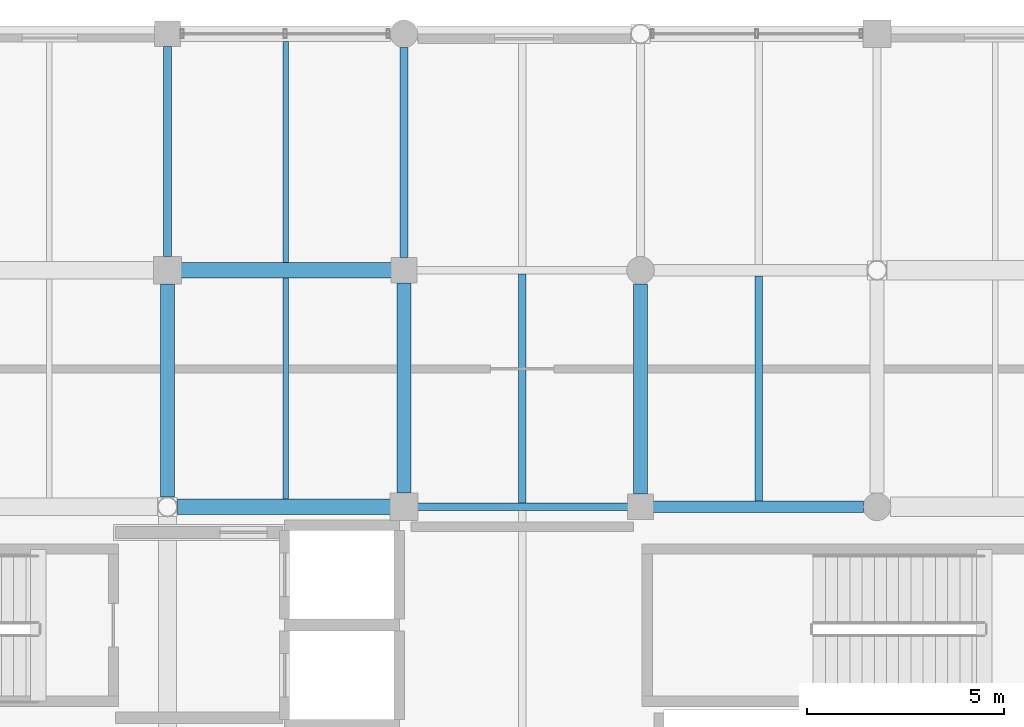
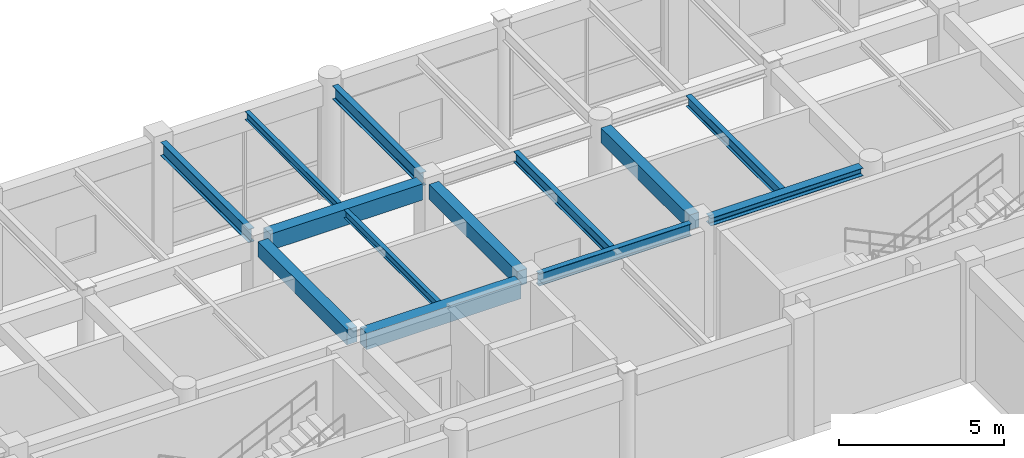
# One storey, part 69 of 116: 13 beams.
"""IFC4 building model written with IfcOpenShell, lengths in metres."""

from ifc_helpers import new_model, si_unit, direction, frame, origin, origin_2d, place, context, subcontext, project, spatial, rectangle, i_section, extrude, material, material_profile, profile_set, type_object, element, save


model = new_model("IFC4")

# Units and contexts
model_context = context("Model", 3, precision=1e-05, world=origin(), true_north=direction((0.0, 1.0)))
body_context = subcontext(model_context, "Body", "Model", "MODEL_VIEW")
ifc_project = project(units=[si_unit("LENGTHUNIT", "METRE"), si_unit("AREAUNIT", "SQUARE_METRE"), si_unit("VOLUMEUNIT", "CUBIC_METRE"), si_unit("PLANEANGLEUNIT", "RADIAN"), si_unit("MASSUNIT", "GRAM", prefix="KILO"), si_unit("THERMODYNAMICTEMPERATUREUNIT", "KELVIN"), si_unit("POWERUNIT", "WATT")], contexts=[model_context])

# Site, building, storey
site_placement = place(None, origin())
site = spatial("IfcSite", under=ifc_project, at=site_placement, CompositionType="ELEMENT")
building_placement = place(site_placement, origin())
building = spatial("IfcBuilding", under=site, at=building_placement, Name="Phaisarnlok Congress Hotel", CompositionType="ELEMENT")
storey_placement = place(building_placement, frame((0.0, 0.0, 10.5)))
storey = spatial("IfcBuildingStorey", under=building, at=storey_placement, Name="L02", CompositionType="ELEMENT", Elevation=10.5)

# Beams
ifc_material_1 = material(Name="Concrete C40/50", Category="concrete")
ifc_material_profile_1 = material_profile(ifc_material_1, rectangle(XDim=0.35009765625, YDim=0.550048828125, at=origin_2d()), Name="RC 350x550")
ifc_profile_set_1 = profile_set([ifc_material_profile_1], Name="Concrete C40/50")
beam_type_1 = type_object("IfcBeamType", Name="BM-RC-350x550", PredefinedType="BEAM", material=ifc_profile_set_1)
beam_1_placement = place(storey_placement, frame((144.0, 114.2490234375, 3.965087890625), z_axis=(0.0, 1.0, 0.0), x_axis=(-1.0, 0.0, 0.0)))
element("IfcBeam", 1, at=beam_1_placement, inside=storey, type_object=beam_type_1, Name="Beam B-01", PredefinedType="BEAM", context=body_context, shape_type="SweptSolid", body=[
    extrude(rectangle(XDim=0.35009765625, YDim=0.550048828125, at=origin_2d()), origin(), (0.0, 0.0, 1.0), 5.406005859375),
])
for number, where, z_axis, x_axis, name in (
    (2, (150.0, 114.344970703125, 3.965087890625), (0.0, 1.0, 0.0), (-1.0, 0.0, 0.0), "Beam B-01"),
    (3, (156.0, 114.320068359375, 3.965087890625), (0.0, 1.0, 0.0), (-1.0, 0.0, 0.0), "Beam B-01"),
):
    element("IfcBeam", number, at=place(storey_placement, frame(where, z_axis=z_axis, x_axis=x_axis)), inside=storey, type_object=beam_type_1, Name=name, PredefinedType="BEAM", context=body_context, shape_type="SweptSolid", body=[
        extrude(rectangle(XDim=0.35009765625, YDim=0.550048828125, at=origin_2d()), origin(), (0.0, 0.0, 1.0), 5.3349609375),
    ])
ifc_material_profile_2 = material_profile(ifc_material_1, rectangle(XDim=0.39990234375, YDim=0.60009765625, at=origin_2d()), Name="RC 400x600")
ifc_profile_set_2 = profile_set([ifc_material_profile_2], Name="Concrete C40/50")
beam_type_2 = type_object("IfcBeamType", Name="BM-RC-400x600", PredefinedType="BEAM", material=ifc_profile_set_2)
beam_2_placement = place(storey_placement, frame((144.2490234375, 114.0, 3.93994140625), z_axis=(1.0, 0.0, 0.0), x_axis=(0.0, 1.0, 0.0)))
element("IfcBeam", 4, at=beam_2_placement, inside=storey, type_object=beam_type_2, Name="Beam B-02", PredefinedType="BEAM", context=body_context, shape_type="SweptSolid", body=[
    extrude(rectangle(XDim=0.39990234375, YDim=0.60009765625, at=origin_2d()), origin(), (0.0, 0.0, 1.0), 5.406005859375),
])
beam_3_placement = place(storey_placement, frame((144.344970703125, 120.0, 3.93994140625), z_axis=(1.0, 0.0, 0.0), x_axis=(0.0, 1.0, 0.0)))
element("IfcBeam", 5, at=beam_3_placement, inside=storey, type_object=beam_type_2, Name="Beam B-02", PredefinedType="BEAM", context=body_context, shape_type="SweptSolid", body=[
    extrude(rectangle(XDim=0.39990234375, YDim=0.60009765625, at=origin_2d()), origin(), (0.0, 0.0, 1.0), 5.3349609375),
])
ifc_material_2 = material(Name="Steel S355", Category="steel")
ifc_material_profile_3 = material_profile(ifc_material_2, i_section(OverallWidth=0.300048828125, OverallDepth=0.2900390625, WebThickness=0.008544921875, FlangeThickness=0.013916015625, FilletRadius=0.027099609375, at=origin_2d()), Name="HEA 300")
ifc_profile_set_3 = profile_set([ifc_material_profile_3], Name="Steel S355")
beam_type_3 = type_object("IfcBeamType", Name="BM-STL-HEA300", PredefinedType="BEAM", material=ifc_profile_set_3)
beam_4_placement = place(storey_placement, frame((156.320068359375, 114.0, 4.094970703125), z_axis=(1.0, 0.0, 0.0), x_axis=(0.0, 1.0, 0.0)))
element("IfcBeam", 6, at=beam_4_placement, inside=storey, type_object=beam_type_3, Name="Beam SB-05", PredefinedType="BEAM", context=body_context, shape_type="SweptSolid", body=[
    extrude(i_section(OverallWidth=0.300048828125, OverallDepth=0.2900390625, WebThickness=0.008544921875, FlangeThickness=0.013916015625, FilletRadius=0.027099609375, at=origin_2d()), origin(), (0.0, 0.0, 1.0), 5.3349609375),
])
ifc_material_profile_4 = material_profile(ifc_material_2, i_section(OverallWidth=0.18994140625, OverallDepth=0.449951171875, WebThickness=0.009521484375, FlangeThickness=0.0146484375, FilletRadius=0.02099609375, at=origin_2d()), Name="IPE 450")
ifc_profile_set_4 = profile_set([ifc_material_profile_4], Name="Steel S355")
beam_type_4 = type_object("IfcBeamType", Name="BM-STL-IPE450", PredefinedType="BEAM", material=ifc_profile_set_4)
beam_5_placement = place(storey_placement, frame((150.344970703125, 114.0, 4.014892578125), z_axis=(1.0, 0.0, 0.0), x_axis=(0.0, 1.0, 0.0)))
element("IfcBeam", 7, at=beam_5_placement, inside=storey, type_object=beam_type_4, Name="Beam SB-01", PredefinedType="BEAM", context=body_context, shape_type="SweptSolid", body=[
    extrude(i_section(OverallWidth=0.18994140625, OverallDepth=0.449951171875, WebThickness=0.009521484375, FlangeThickness=0.0146484375, FilletRadius=0.02099609375, at=origin_2d()), origin(), (0.0, 0.0, 1.0), 5.3349609375),
])
ifc_material_profile_5 = material_profile(ifc_material_2, i_section(OverallWidth=0.199951171875, OverallDepth=0.5, WebThickness=0.01025390625, FlangeThickness=0.01611328125, FilletRadius=0.02099609375, at=origin_2d()), Name="IPE 500")
ifc_profile_set_5 = profile_set([ifc_material_profile_5], Name="Steel S355")
beam_type_5 = type_object("IfcBeamType", Name="BM-STL-IPE500", PredefinedType="BEAM", material=ifc_profile_set_5)
for number, where, z_axis, x_axis, name in (
    (8, (144.0, 120.344970703125, 3.989990234375), (0.0, 1.0, 0.0), (-1.0, 0.0, 0.0), "Beam SB-02"),
    (9, (150.0, 120.320068359375, 3.989990234375), (0.0, 1.0, 0.0), (-1.0, 0.0, 0.0), "Beam SB-02"),
):
    element("IfcBeam", number, at=place(storey_placement, frame(where, z_axis=z_axis, x_axis=x_axis)), inside=storey, type_object=beam_type_5, Name=name, PredefinedType="BEAM", context=body_context, shape_type="SweptSolid", body=[
        extrude(i_section(OverallWidth=0.199951171875, OverallDepth=0.5, WebThickness=0.01025390625, FlangeThickness=0.01611328125, FilletRadius=0.02099609375, at=origin_2d()), origin(), (0.0, 0.0, 1.0), 5.3349609375),
    ])
ifc_material_profile_6 = material_profile(ifc_material_2, i_section(OverallWidth=0.14990234375, OverallDepth=0.300048828125, WebThickness=0.007080078125, FlangeThickness=0.0107421875, FilletRadius=0.014892578125, at=origin_2d()), Name="IPE 300")
ifc_profile_set_6 = profile_set([ifc_material_profile_6], Name="Steel S355")
beam_type_6 = type_object("IfcBeamType", Name="JS-STL-IPE300", PredefinedType="JOIST", material=ifc_profile_set_6)
for number, where, z_axis, x_axis, name in (
    (10, (147.0, 114.195068359375, 4.090087890625), (0.0, 1.0, 0.0), (-1.0, 0.0, 0.0), "Secondary floor joist J-03"),
    (11, (147.0, 120.195068359375, 4.090087890625), (0.0, 1.0, 0.0), (-1.0, 0.0, 0.0), "Secondary floor joist J-03"),
):
    element("IfcBeam", number, at=place(storey_placement, frame(where, z_axis=z_axis, x_axis=x_axis)), inside=storey, type_object=beam_type_6, Name=name, PredefinedType="JOIST", context=body_context, shape_type="SweptSolid", body=[
        extrude(i_section(OverallWidth=0.14990234375, OverallDepth=0.300048828125, WebThickness=0.007080078125, FlangeThickness=0.0107421875, FilletRadius=0.014892578125, at=origin_2d()), origin(), (0.0, 0.0, 1.0), 5.60986328125),
    ])
ifc_material_profile_7 = material_profile(ifc_material_2, i_section(OverallWidth=0.179931640625, OverallDepth=0.39990234375, WebThickness=0.008544921875, FlangeThickness=0.013427734375, FilletRadius=0.02099609375, at=origin_2d()), Name="IPE 400")
ifc_profile_set_7 = profile_set([ifc_material_profile_7], Name="Steel S355")
beam_type_7 = type_object("IfcBeamType", Name="JS-STL-IPE400", PredefinedType="JOIST", material=ifc_profile_set_7)
beam_6_placement = place(storey_placement, frame((153.0, 114.090087890625, 4.0400390625), z_axis=(0.0, 1.0, 0.0), x_axis=(-1.0, 0.0, 0.0)))
element("IfcBeam", 12, at=beam_6_placement, inside=storey, type_object=beam_type_7, Name="Secondary floor joist J-05", PredefinedType="JOIST", context=body_context, shape_type="SweptSolid", body=[
    extrude(i_section(OverallWidth=0.179931640625, OverallDepth=0.39990234375, WebThickness=0.008544921875, FlangeThickness=0.013427734375, FilletRadius=0.02099609375, at=origin_2d()), origin(), (0.0, 0.0, 1.0), 5.81982421875),
])
beam_7_placement = place(storey_placement, frame((159.0, 114.14501953125, 4.0400390625), z_axis=(0.0, 1.0, 0.0), x_axis=(-1.0, 0.0, 0.0)))
element("IfcBeam", 13, at=beam_7_placement, inside=storey, type_object=beam_type_7, Name="Secondary floor joist J-05", PredefinedType="JOIST", context=body_context, shape_type="SweptSolid", body=[
    extrude(i_section(OverallWidth=0.179931640625, OverallDepth=0.39990234375, WebThickness=0.008544921875, FlangeThickness=0.013427734375, FilletRadius=0.02099609375, at=origin_2d()), origin(), (0.0, 0.0, 1.0), 5.7099609375),
])

save(model, "model.ifc")
